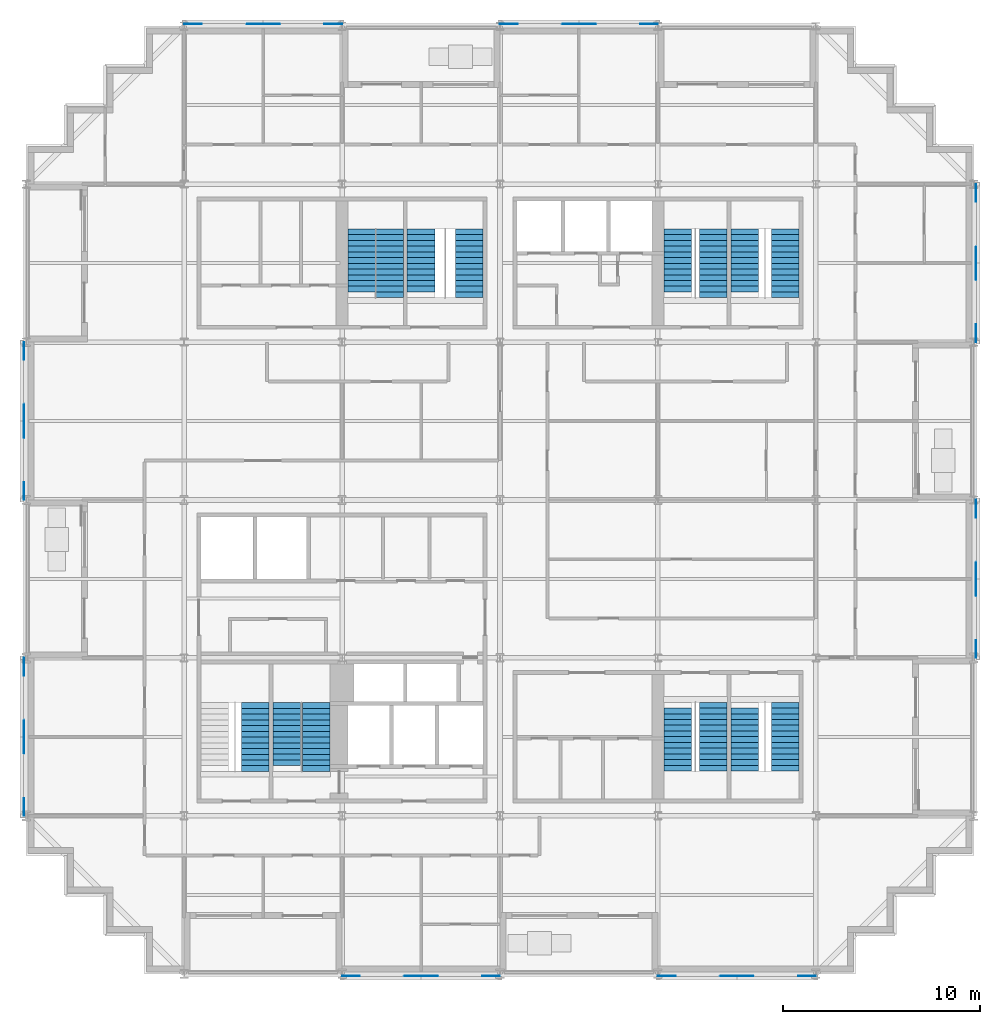
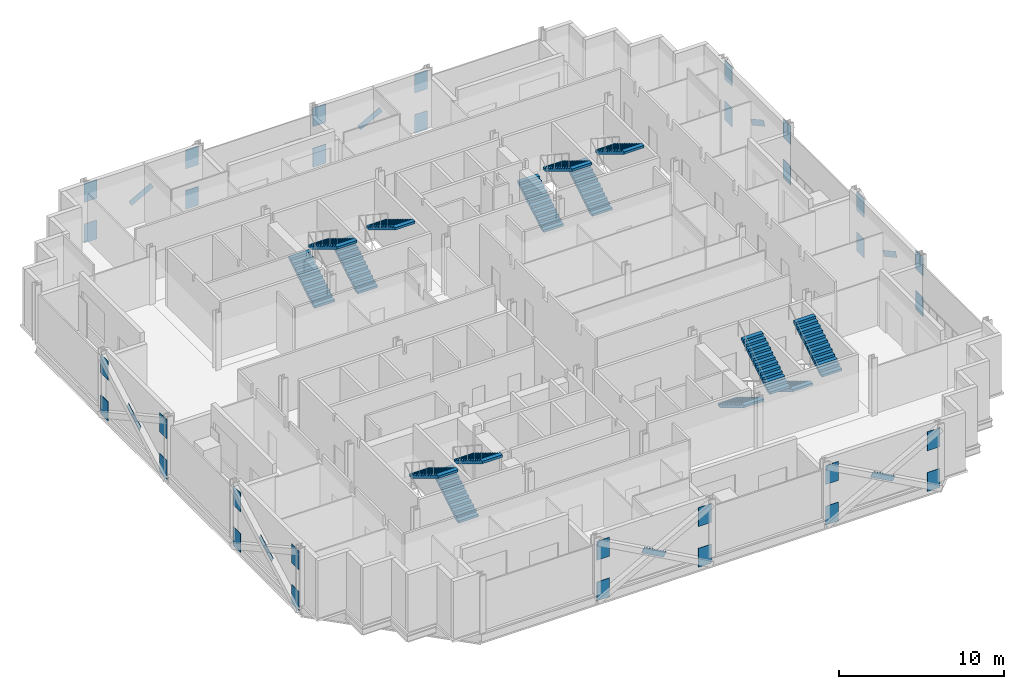
# One storey, part 12 of 15: 40 discrete accessories, 15 stair flights, 8 elements without a shape of their own.
"""IFC4 building model written with IfcOpenShell, lengths in metres."""

import ifcopenshell
import ifcopenshell.guid

model = None  # the IFC model being written
_history = None  # IfcOwnerHistory: only IFC2X3 demands one
_inside = {}  # id of a spatial element -> (the spatial element, [elements in it])
_under = {}  # id of a project, library or spatial element -> (it, [spatial elements below it])
_declared = {}  # id of a project -> (the project, [libraries it declares])
_typed = {}  # id of a type object -> (the type object, [elements of that type])
_made_of = {}  # id of a material, layer set ... -> (it, [elements and type objects made of it])


def new_model(schema):
    """Start an empty IFC model of exactly this schema.

    Asked for "IFC4X3", IfcOpenShell would pick the latest addendum, in which some entities
    have other attributes; the version numbers below select the first issue.
    IFC2X3 requires an IfcOwnerHistory on every rooted entity: one is made here for all.
    """
    global model, _history
    if schema == "IFC4X3":
        model = ifcopenshell.file(schema_version=(4, 3, 0, 0))
    else:
        model = ifcopenshell.file(schema=schema)
    _inside.clear()
    _under.clear()
    _declared.clear()
    _typed.clear()
    _made_of.clear()
    _history = None
    if model.schema == "IFC2X3":
        org = make("IfcOrganization", Name="unknown")
        user = make(
            "IfcPersonAndOrganization",
            ThePerson=make("IfcPerson", FamilyName="unknown"),
            TheOrganization=org,
        )
        app = make(
            "IfcApplication",
            ApplicationDeveloper=org,
            Version="unknown",
            ApplicationFullName="unknown",
            ApplicationIdentifier="unknown",
        )
        _history = make(
            "IfcOwnerHistory",
            OwningUser=user,
            OwningApplication=app,
            ChangeAction="ADDED",
            CreationDate=0,
        )
    return model


def make(cls, **values):
    """One entity of the class cls with the attributes given. An attribute that is None is left unset."""
    return model.create_entity(
        cls, **{name: value for name, value in values.items() if value is not None}
    )


def rooted(cls, **values):
    """An entity with a GlobalId (a new one), such as an element, a storey or a relation."""
    return make(cls, GlobalId=ifcopenshell.guid.new(), OwnerHistory=_history, **values)


def si_unit(unit_type, name, prefix=None):
    """IfcSIUnit, for example si_unit("LENGTHUNIT", "METRE", prefix="MILLI")."""
    return make("IfcSIUnit", UnitType=unit_type, Prefix=prefix, Name=name)


def assignment(units):
    """IfcUnitAssignment: the units of a project."""
    return None if units is None else make("IfcUnitAssignment", Units=units)


def point(xyz):
    """IfcCartesianPoint."""
    return None if xyz is None else make("IfcCartesianPoint", Coordinates=xyz)


def direction(xyz):
    """IfcDirection."""
    return None if xyz is None else make("IfcDirection", DirectionRatios=xyz)


def frame(location, z_axis=None, x_axis=None):
    """IfcAxis2Placement3D, a coordinate frame: its origin and axes. An axis left out is left unset."""
    return make(
        "IfcAxis2Placement3D",
        Location=point(location),
        Axis=direction(z_axis),
        RefDirection=direction(x_axis),
    )


def frame_2d(location, x_axis=None):
    """IfcAxis2Placement2D, a coordinate frame in the plane: its origin and x axis."""
    return make(
        "IfcAxis2Placement2D", Location=point(location), RefDirection=direction(x_axis)
    )


def origin():
    """The frame at (0, 0, 0) with its axes left unset."""
    return frame((0.0, 0.0, 0.0))


def origin_2d():
    """The frame at (0, 0) in the plane with its x axis left unset."""
    return frame_2d((0.0, 0.0))


def place(relative_to, where):
    """IfcLocalPlacement: puts the frame where relative to a parent placement (None: the world)."""
    return make(
        "IfcLocalPlacement", PlacementRelTo=relative_to, RelativePlacement=where
    )


def context(
    kind, dimensions, precision=None, world=None, true_north=None, identifier=None
):
    """IfcGeometricRepresentationContext, for example the 3D "Model" context."""
    return make(
        "IfcGeometricRepresentationContext",
        ContextIdentifier=identifier,
        ContextType=kind,
        CoordinateSpaceDimension=dimensions,
        Precision=precision,
        WorldCoordinateSystem=world,
        TrueNorth=true_north,
    )


def subcontext(parent, identifier, kind, view, scale=None):
    """IfcGeometricRepresentationSubContext, for example "Body" below "Model"."""
    return make(
        "IfcGeometricRepresentationSubContext",
        ContextIdentifier=identifier,
        ContextType=kind,
        ParentContext=parent,
        TargetScale=scale,
        TargetView=view,
    )


def project(units=None, contexts=None):
    """IfcProject with its units and contexts."""
    return rooted(
        "IfcProject",
        Name="project",
        RepresentationContexts=contexts,
        UnitsInContext=assignment(units),
    )


def spatial(cls, under=None, at=None, **own):
    """A site, building, storey or space (cls), placed at a placement, below another one or the project."""
    s = rooted(cls, ObjectPlacement=at, **own)
    if under is not None:
        _under.setdefault(under.id(), (under, []))[1].append(s)
    return s


def polyline(points):
    """IfcPolyline through the points."""
    return make("IfcPolyline", Points=[point(p) for p in points])


def profile(cls, at=None, kind="AREA", **sizes):
    """A parametric profile (cls). Its sizes go by their IFC names, for example OverallWidth=200.0."""
    return make(cls, ProfileType=kind, Position=at, **sizes)


def rectangle(**sizes):
    """IfcRectangleProfileDef."""
    return profile("IfcRectangleProfileDef", **sizes)


def outline(outer, holes=None, kind="AREA"):
    """IfcArbitraryClosedProfileDef: a profile drawn as a closed curve; with holes, ...WithVoids."""
    if holes is None:
        return make("IfcArbitraryClosedProfileDef", ProfileType=kind, OuterCurve=outer)
    return make(
        "IfcArbitraryProfileDefWithVoids",
        ProfileType=kind,
        OuterCurve=outer,
        InnerCurves=holes,
    )


def extrude(swept, where, along, depth):
    """IfcExtrudedAreaSolid: the profile swept, set in the frame where, extruded along a direction by depth."""
    return make(
        "IfcExtrudedAreaSolid",
        SweptArea=swept,
        Position=where,
        ExtrudedDirection=direction(along),
        Depth=depth,
    )


def shape(context_of_items, identifier, shape_type, items):
    """IfcShapeRepresentation: the items that make up one representation, for example the "Body"."""
    return make(
        "IfcShapeRepresentation",
        ContextOfItems=context_of_items,
        RepresentationIdentifier=identifier,
        RepresentationType=shape_type,
        Items=items,
    )


def material(Name=None, Category=None):
    """IfcMaterial."""
    return make("IfcMaterial", Name=Name, Category=Category)


def material_profile(
    of_material, cross_section, Name=None, Category=None, Priority=None
):
    """IfcMaterialProfile: a cross section and its material."""
    return make(
        "IfcMaterialProfile",
        Name=Name,
        Material=of_material,
        Profile=cross_section,
        Priority=Priority,
        Category=Category,
    )


def profile_set(profiles, Name=None, composite=None):
    """IfcMaterialProfileSet."""
    return make(
        "IfcMaterialProfileSet",
        Name=Name,
        MaterialProfiles=profiles,
        CompositeProfile=composite,
    )


def made_of(thing, what):
    """Note that an element or type object is made of a material, layer set ...; save() writes the relation."""
    if what is not None:
        _made_of.setdefault(what.id(), (what, []))[1].append(thing)
    return thing


def type_object(cls, material=None, **own):
    """A type object (cls), such as IfcWallType, which elements share."""
    return made_of(rooted(cls, **own), material)


def element(
    cls,
    number,
    at=None,
    inside=None,
    cuts=None,
    type_object=None,
    material=None,
    context=None,
    identifier="Body",
    shape_type=None,
    held_by="IfcProductDefinitionShape",
    body=None,
    shapes=None,
    **own,
):
    """One element of the class cls, such as IfcWall. Its Tag is "e" and its number.

    at: its placement. inside: the storey or other place that contains it. cuts: it is an
    opening in that element (IfcRelVoidsElement). A single representation is given by context,
    identifier, shape_type and body (its items); several are given by shapes. held_by: the class
    of the entity that holds the representations. save() writes the other relations.
    """
    e = rooted(cls, Tag="e%d" % number, ObjectPlacement=at, **own)
    if body is not None:
        shapes = [shape(context, identifier, shape_type, body)]
    if shapes is not None:
        e.Representation = make(held_by, Representations=shapes)
    if inside is not None:
        _inside.setdefault(inside.id(), (inside, []))[1].append(e)
    if cuts is not None:
        rooted(
            "IfcRelVoidsElement", RelatingBuildingElement=cuts, RelatedOpeningElement=e
        )
    if type_object is not None:
        _typed.setdefault(type_object.id(), (type_object, []))[1].append(e)
    return made_of(e, material)


def aggregate(whole, parts):
    """IfcRelAggregates: a whole, such as a stair, and the parts it consists of."""
    return rooted("IfcRelAggregates", RelatingObject=whole, RelatedObjects=parts)


def save(model, path):
    """Write the relations noted so far, then the file.

    IfcRelAggregates (storeys below a building ...), IfcRelContainedInSpatialStructure (elements
    in a storey), IfcRelDefinesByType, IfcRelAssociatesMaterial and IfcRelDeclares: one each for
    every whole, place, type object, material and project.
    """
    for whole, parts in _under.values():
        aggregate(whole, parts)
    for where, things in _inside.values():
        rooted(
            "IfcRelContainedInSpatialStructure",
            RelatedElements=things,
            RelatingStructure=where,
        )
    for kind, things in _typed.values():
        rooted("IfcRelDefinesByType", RelatedObjects=things, RelatingType=kind)
    for what, things in _made_of.values():
        rooted("IfcRelAssociatesMaterial", RelatedObjects=things, RelatingMaterial=what)
    for by, libraries in _declared.values():
        rooted("IfcRelDeclares", RelatingContext=by, RelatedDefinitions=libraries)
    model.write(path)


model = new_model("IFC4")

# Units and contexts
model_context = context("Model", 3, precision=1e-05, world=origin(), true_north=direction((0.0, 1.0)))
body_context = subcontext(model_context, "Body", "Model", "MODEL_VIEW")
ifc_project = project(units=[si_unit("LENGTHUNIT", "METRE"), si_unit("AREAUNIT", "SQUARE_METRE"), si_unit("VOLUMEUNIT", "CUBIC_METRE"), si_unit("PLANEANGLEUNIT", "RADIAN"), si_unit("MASSUNIT", "GRAM", prefix="KILO")], contexts=[model_context])

# Site, building, storey
site_placement = place(None, origin())
site = spatial("IfcSite", under=ifc_project, at=site_placement, CompositionType="ELEMENT")
building_placement = place(site_placement, origin())
building = spatial("IfcBuilding", under=site, at=building_placement, Name="Immortelle Media Tower", CompositionType="ELEMENT")
storey_placement = place(building_placement, frame((0.0, 0.0, 70.0)))
storey = spatial("IfcBuildingStorey", under=building, at=storey_placement, Name="L12", CompositionType="ELEMENT", Elevation=70.0)

# Stair, stair flight
ifc_material_1 = material(Name="Steel ASTM A992 Gr 50", Category="steel")
stair_type = type_object("IfcStairType", Name="Stair with flights", PredefinedType="DOUBLE_RETURN_STAIR", material=ifc_material_1)
stair_1_placement = place(storey_placement, origin())
stair_1 = element("IfcStair", 1, at=stair_1_placement, inside=storey, type_object=stair_type, Name="Exit stair SW1", PredefinedType="DOUBLE_RETURN_STAIR")
stair_flight_type = type_object("IfcStairFlightType", Name="Stair flight 1400", PredefinedType="STRAIGHT", material=ifc_material_1)
stair_flight_1_placement = place(storey_placement, frame((11.60009765625, 13.72998046875, 2.112060546875), z_axis=(0.0, 0.0, 1.0), x_axis=(0.0, -1.0, 0.0)))
stair_flight_1 = element("IfcStairFlight", 2, at=stair_flight_1_placement, type_object=stair_flight_type, Name="ST SW1 flight 2", NumberOfRisers=13, NumberOfTreads=12, PredefinedType="STRAIGHT", RiserHeight=0.176, TreadLength=0.29, context=body_context, shape_type="SweptSolid", body=[
    extrude(outline(polyline([(0.0, 0.0), (0.0, 0.176025390625), (0.2900390625, 0.176025390625), (0.2900390625, 0.35205078125), (0.580078125, 0.35205078125), (0.580078125, 0.528076171875), (0.8701171875, 0.528076171875), (0.8701171875, 0.7041015625), (1.159912109375, 0.7041015625), (1.159912109375, 0.8798828125), (1.449951171875, 0.8798828125), (1.449951171875, 1.055908203125), (1.739990234375, 1.055908203125), (1.739990234375, 1.23193359375), (2.030029296875, 1.23193359375), (2.030029296875, 1.407958984375), (2.320068359375, 1.407958984375), (2.320068359375, 1.583984375), (2.610107421875, 1.583984375), (2.610107421875, 1.760009765625), (2.89990234375, 1.760009765625), (2.89990234375, 1.93603515625), (3.18994140625, 1.93603515625), (3.18994140625, 2.112060546875), (3.47998046875, 2.112060546875), (3.47998046875, 2.2880859375), (3.47998046875, 1.936767578125), (0.288818359375, 0.0), (0.0, 0.0)])), frame((0.0, 0.699951171875, 0.0), z_axis=(0.0, -1.0, 0.0), x_axis=(1.0, 0.0, 0.0)), (0.0, 0.0, 1.0), 1.39990234375),
])
aggregate(stair_1, [stair_flight_1])

# Stair, stair flights
stair_2_placement = place(storey_placement, origin())
stair_2 = element("IfcStair", 3, at=stair_2_placement, inside=storey, type_object=stair_type, Name="Exit stair SW2", PredefinedType="DOUBLE_RETURN_STAIR")
stair_flight_2_placement = place(storey_placement, frame((13.199951171875, 10.5400390625, 0.0), z_axis=(0.0, 0.0, 1.0), x_axis=(0.0, 1.0, 0.0)))
stair_flight_2 = element("IfcStairFlight", 4, at=stair_flight_2_placement, type_object=stair_flight_type, Name="ST SW2 flight 1", NumberOfRisers=12, NumberOfTreads=11, PredefinedType="STRAIGHT", RiserHeight=0.176, TreadLength=0.29, context=body_context, shape_type="SweptSolid", body=[
    extrude(outline(polyline([(0.0, 0.0), (0.0, 0.176025390625), (0.2900390625, 0.176025390625), (0.2900390625, 0.35205078125), (0.580078125, 0.35205078125), (0.580078125, 0.528076171875), (0.8701171875, 0.528076171875), (0.8701171875, 0.7041015625), (1.159912109375, 0.7041015625), (1.159912109375, 0.8798828125), (1.449951171875, 0.8798828125), (1.449951171875, 1.055908203125), (1.739990234375, 1.055908203125), (1.739990234375, 1.23193359375), (2.030029296875, 1.23193359375), (2.030029296875, 1.407958984375), (2.320068359375, 1.407958984375), (2.320068359375, 1.583984375), (2.610107421875, 1.583984375), (2.610107421875, 1.760009765625), (2.89990234375, 1.760009765625), (2.89990234375, 1.93603515625), (3.18994140625, 1.93603515625), (3.18994140625, 2.112060546875), (3.18994140625, 1.7607421875), (0.288818359375, 0.0), (0.0, 0.0)])), frame((0.0, 0.699951171875, 0.0), z_axis=(0.0, -1.0, 0.0), x_axis=(1.0, 0.0, 0.0)), (0.0, 0.0, 1.0), 1.39990234375),
])
stair_flight_3_placement = place(storey_placement, frame((14.699951171875, 13.72998046875, 2.112060546875), z_axis=(0.0, 0.0, 1.0), x_axis=(0.0, -1.0, 0.0)))
stair_flight_3 = element("IfcStairFlight", 5, at=stair_flight_3_placement, type_object=stair_flight_type, Name="ST SW2 flight 2", NumberOfRisers=13, NumberOfTreads=12, PredefinedType="STRAIGHT", RiserHeight=0.176, TreadLength=0.29, context=body_context, shape_type="SweptSolid", body=[
    extrude(outline(polyline([(0.0, 0.0), (0.0, 0.176025390625), (0.2900390625, 0.176025390625), (0.2900390625, 0.35205078125), (0.580078125, 0.35205078125), (0.580078125, 0.528076171875), (0.8701171875, 0.528076171875), (0.8701171875, 0.7041015625), (1.159912109375, 0.7041015625), (1.159912109375, 0.8798828125), (1.449951171875, 0.8798828125), (1.449951171875, 1.055908203125), (1.739990234375, 1.055908203125), (1.739990234375, 1.23193359375), (2.030029296875, 1.23193359375), (2.030029296875, 1.407958984375), (2.320068359375, 1.407958984375), (2.320068359375, 1.583984375), (2.610107421875, 1.583984375), (2.610107421875, 1.760009765625), (2.89990234375, 1.760009765625), (2.89990234375, 1.93603515625), (3.18994140625, 1.93603515625), (3.18994140625, 2.112060546875), (3.47998046875, 2.112060546875), (3.47998046875, 2.2880859375), (3.47998046875, 1.936767578125), (0.288818359375, 0.0), (0.0, 0.0)])), frame((0.0, 0.699951171875, 0.0), z_axis=(0.0, -1.0, 0.0), x_axis=(1.0, 0.0, 0.0)), (0.0, 0.0, 1.0), 1.39990234375),
])
aggregate(stair_2, [stair_flight_2, stair_flight_3])

stair_3_placement = place(storey_placement, origin())
stair_3 = element("IfcStair", 6, at=stair_3_placement, inside=storey, type_object=stair_type, Name="Exit stair SE1", PredefinedType="DOUBLE_RETURN_STAIR")
stair_flight_4_placement = place(storey_placement, frame((33.0, 13.4599609375, 0.0), z_axis=(0.0, 0.0, 1.0), x_axis=(0.0, -1.0, 0.0)))
stair_flight_4 = element("IfcStairFlight", 7, at=stair_flight_4_placement, type_object=stair_flight_type, Name="ST SE1 flight 1", NumberOfRisers=12, NumberOfTreads=11, PredefinedType="STRAIGHT", RiserHeight=0.176, TreadLength=0.29, context=body_context, shape_type="SweptSolid", body=[
    extrude(outline(polyline([(0.0, 0.0), (0.0, 0.176025390625), (0.2900390625, 0.176025390625), (0.2900390625, 0.35205078125), (0.580078125, 0.35205078125), (0.580078125, 0.528076171875), (0.8701171875, 0.528076171875), (0.8701171875, 0.7041015625), (1.159912109375, 0.7041015625), (1.159912109375, 0.8798828125), (1.449951171875, 0.8798828125), (1.449951171875, 1.055908203125), (1.739990234375, 1.055908203125), (1.739990234375, 1.23193359375), (2.030029296875, 1.23193359375), (2.030029296875, 1.407958984375), (2.320068359375, 1.407958984375), (2.320068359375, 1.583984375), (2.610107421875, 1.583984375), (2.610107421875, 1.760009765625), (2.89990234375, 1.760009765625), (2.89990234375, 1.93603515625), (3.18994140625, 1.93603515625), (3.18994140625, 2.112060546875), (3.18994140625, 1.7607421875), (0.288818359375, 0.0), (0.0, 0.0)])), frame((0.0, 0.699951171875, 0.0), z_axis=(0.0, -1.0, 0.0), x_axis=(1.0, 0.0, 0.0)), (0.0, 0.0, 1.0), 1.39990234375),
])
stair_flight_5_placement = place(storey_placement, frame((34.800048828125, 10.27001953125, 2.112060546875), z_axis=(0.0, 0.0, 1.0), x_axis=(0.0, 1.0, 0.0)))
stair_flight_5 = element("IfcStairFlight", 8, at=stair_flight_5_placement, type_object=stair_flight_type, Name="ST SE1 flight 2", NumberOfRisers=13, NumberOfTreads=12, PredefinedType="STRAIGHT", RiserHeight=0.176, TreadLength=0.29, context=body_context, shape_type="SweptSolid", body=[
    extrude(outline(polyline([(0.0, 0.0), (0.0, 0.176025390625), (0.2900390625, 0.176025390625), (0.2900390625, 0.35205078125), (0.580078125, 0.35205078125), (0.580078125, 0.528076171875), (0.8701171875, 0.528076171875), (0.8701171875, 0.7041015625), (1.159912109375, 0.7041015625), (1.159912109375, 0.8798828125), (1.449951171875, 0.8798828125), (1.449951171875, 1.055908203125), (1.739990234375, 1.055908203125), (1.739990234375, 1.23193359375), (2.030029296875, 1.23193359375), (2.030029296875, 1.407958984375), (2.320068359375, 1.407958984375), (2.320068359375, 1.583984375), (2.610107421875, 1.583984375), (2.610107421875, 1.760009765625), (2.89990234375, 1.760009765625), (2.89990234375, 1.93603515625), (3.18994140625, 1.93603515625), (3.18994140625, 2.112060546875), (3.47998046875, 2.112060546875), (3.47998046875, 2.2880859375), (3.47998046875, 1.936767578125), (0.288818359375, 0.0), (0.0, 0.0)])), frame((0.0, 0.699951171875, 0.0), z_axis=(0.0, -1.0, 0.0), x_axis=(1.0, 0.0, 0.0)), (0.0, 0.0, 1.0), 1.39990234375),
])
aggregate(stair_3, [stair_flight_4, stair_flight_5])

stair_4_placement = place(storey_placement, origin())
stair_4 = element("IfcStair", 9, at=stair_4_placement, inside=storey, type_object=stair_type, Name="Exit stair SE2", PredefinedType="DOUBLE_RETURN_STAIR")
stair_flight_6_placement = place(storey_placement, frame((36.39990234375, 13.4599609375, 0.0), z_axis=(0.0, 0.0, 1.0), x_axis=(0.0, -1.0, 0.0)))
stair_flight_6 = element("IfcStairFlight", 10, at=stair_flight_6_placement, type_object=stair_flight_type, Name="ST SE2 flight 1", NumberOfRisers=12, NumberOfTreads=11, PredefinedType="STRAIGHT", RiserHeight=0.176, TreadLength=0.29, context=body_context, shape_type="SweptSolid", body=[
    extrude(outline(polyline([(0.0, 0.0), (0.0, 0.176025390625), (0.2900390625, 0.176025390625), (0.2900390625, 0.35205078125), (0.580078125, 0.35205078125), (0.580078125, 0.528076171875), (0.8701171875, 0.528076171875), (0.8701171875, 0.7041015625), (1.159912109375, 0.7041015625), (1.159912109375, 0.8798828125), (1.449951171875, 0.8798828125), (1.449951171875, 1.055908203125), (1.739990234375, 1.055908203125), (1.739990234375, 1.23193359375), (2.030029296875, 1.23193359375), (2.030029296875, 1.407958984375), (2.320068359375, 1.407958984375), (2.320068359375, 1.583984375), (2.610107421875, 1.583984375), (2.610107421875, 1.760009765625), (2.89990234375, 1.760009765625), (2.89990234375, 1.93603515625), (3.18994140625, 1.93603515625), (3.18994140625, 2.112060546875), (3.18994140625, 1.7607421875), (0.288818359375, 0.0), (0.0, 0.0)])), frame((0.0, 0.699951171875, 0.0), z_axis=(0.0, -1.0, 0.0), x_axis=(1.0, 0.0, 0.0)), (0.0, 0.0, 1.0), 1.39990234375),
])
stair_flight_7_placement = place(storey_placement, frame((38.449951171875, 10.27001953125, 2.112060546875), z_axis=(0.0, 0.0, 1.0), x_axis=(0.0, 1.0, 0.0)))
stair_flight_7 = element("IfcStairFlight", 11, at=stair_flight_7_placement, type_object=stair_flight_type, Name="ST SE2 flight 2", NumberOfRisers=13, NumberOfTreads=12, PredefinedType="STRAIGHT", RiserHeight=0.176, TreadLength=0.29, context=body_context, shape_type="SweptSolid", body=[
    extrude(outline(polyline([(0.0, 0.0), (0.0, 0.176025390625), (0.2900390625, 0.176025390625), (0.2900390625, 0.35205078125), (0.580078125, 0.35205078125), (0.580078125, 0.528076171875), (0.8701171875, 0.528076171875), (0.8701171875, 0.7041015625), (1.159912109375, 0.7041015625), (1.159912109375, 0.8798828125), (1.449951171875, 0.8798828125), (1.449951171875, 1.055908203125), (1.739990234375, 1.055908203125), (1.739990234375, 1.23193359375), (2.030029296875, 1.23193359375), (2.030029296875, 1.407958984375), (2.320068359375, 1.407958984375), (2.320068359375, 1.583984375), (2.610107421875, 1.583984375), (2.610107421875, 1.760009765625), (2.89990234375, 1.760009765625), (2.89990234375, 1.93603515625), (3.18994140625, 1.93603515625), (3.18994140625, 2.112060546875), (3.47998046875, 2.112060546875), (3.47998046875, 2.2880859375), (3.47998046875, 1.936767578125), (0.288818359375, 0.0), (0.0, 0.0)])), frame((0.0, 0.699951171875, 0.0), z_axis=(0.0, -1.0, 0.0), x_axis=(1.0, 0.0, 0.0)), (0.0, 0.0, 1.0), 1.39990234375),
])
aggregate(stair_4, [stair_flight_6, stair_flight_7])

stair_5_placement = place(storey_placement, origin())
stair_5 = element("IfcStair", 12, at=stair_5_placement, inside=storey, type_object=stair_type, Name="Exit stair NW1", PredefinedType="DOUBLE_RETURN_STAIR")
stair_flight_8_placement = place(storey_placement, frame((17.0, 34.5400390625, 0.0), z_axis=(0.0, 0.0, 1.0), x_axis=(0.0, 1.0, 0.0)))
stair_flight_8 = element("IfcStairFlight", 13, at=stair_flight_8_placement, type_object=stair_flight_type, Name="ST NW1 flight 1", NumberOfRisers=12, NumberOfTreads=11, PredefinedType="STRAIGHT", RiserHeight=0.176, TreadLength=0.29, context=body_context, shape_type="SweptSolid", body=[
    extrude(outline(polyline([(0.0, 0.0), (0.0, 0.176025390625), (0.2900390625, 0.176025390625), (0.2900390625, 0.35205078125), (0.580078125, 0.35205078125), (0.580078125, 0.528076171875), (0.8701171875, 0.528076171875), (0.8701171875, 0.7041015625), (1.159912109375, 0.7041015625), (1.159912109375, 0.8798828125), (1.449951171875, 0.8798828125), (1.449951171875, 1.055908203125), (1.739990234375, 1.055908203125), (1.739990234375, 1.23193359375), (2.030029296875, 1.23193359375), (2.030029296875, 1.407958984375), (2.320068359375, 1.407958984375), (2.320068359375, 1.583984375), (2.610107421875, 1.583984375), (2.610107421875, 1.760009765625), (2.89990234375, 1.760009765625), (2.89990234375, 1.93603515625), (3.18994140625, 1.93603515625), (3.18994140625, 2.112060546875), (3.18994140625, 1.7607421875), (0.288818359375, 0.0), (0.0, 0.0)])), frame((0.0, 0.699951171875, 0.0), z_axis=(0.0, -1.0, 0.0), x_axis=(1.0, 0.0, 0.0)), (0.0, 0.0, 1.0), 1.39990234375),
])
stair_flight_9_placement = place(storey_placement, frame((18.39990234375, 37.72998046875, 2.112060546875), z_axis=(0.0, 0.0, 1.0), x_axis=(0.0, -1.0, 0.0)))
stair_flight_9 = element("IfcStairFlight", 14, at=stair_flight_9_placement, type_object=stair_flight_type, Name="ST NW1 flight 2", NumberOfRisers=13, NumberOfTreads=12, PredefinedType="STRAIGHT", RiserHeight=0.176, TreadLength=0.29, context=body_context, shape_type="SweptSolid", body=[
    extrude(outline(polyline([(0.0, 0.0), (0.0, 0.176025390625), (0.2900390625, 0.176025390625), (0.2900390625, 0.35205078125), (0.580078125, 0.35205078125), (0.580078125, 0.528076171875), (0.8701171875, 0.528076171875), (0.8701171875, 0.7041015625), (1.159912109375, 0.7041015625), (1.159912109375, 0.8798828125), (1.449951171875, 0.8798828125), (1.449951171875, 1.055908203125), (1.739990234375, 1.055908203125), (1.739990234375, 1.23193359375), (2.030029296875, 1.23193359375), (2.030029296875, 1.407958984375), (2.320068359375, 1.407958984375), (2.320068359375, 1.583984375), (2.610107421875, 1.583984375), (2.610107421875, 1.760009765625), (2.89990234375, 1.760009765625), (2.89990234375, 1.93603515625), (3.18994140625, 1.93603515625), (3.18994140625, 2.112060546875), (3.47998046875, 2.112060546875), (3.47998046875, 2.2880859375), (3.47998046875, 1.936767578125), (0.288818359375, 0.0), (0.0, 0.0)])), frame((0.0, 0.699951171875, 0.0), z_axis=(0.0, -1.0, 0.0), x_axis=(1.0, 0.0, 0.0)), (0.0, 0.0, 1.0), 1.39990234375),
])
aggregate(stair_5, [stair_flight_8, stair_flight_9])

stair_6_placement = place(storey_placement, origin())
stair_6 = element("IfcStair", 15, at=stair_6_placement, inside=storey, type_object=stair_type, Name="Exit stair NW2", PredefinedType="DOUBLE_RETURN_STAIR")
stair_flight_10_placement = place(storey_placement, frame((20.0, 34.5400390625, 0.0), z_axis=(0.0, 0.0, 1.0), x_axis=(0.0, 1.0, 0.0)))
stair_flight_10 = element("IfcStairFlight", 16, at=stair_flight_10_placement, type_object=stair_flight_type, Name="ST NW2 flight 1", NumberOfRisers=12, NumberOfTreads=11, PredefinedType="STRAIGHT", RiserHeight=0.176, TreadLength=0.29, context=body_context, shape_type="SweptSolid", body=[
    extrude(outline(polyline([(0.0, 0.0), (0.0, 0.176025390625), (0.2900390625, 0.176025390625), (0.2900390625, 0.35205078125), (0.580078125, 0.35205078125), (0.580078125, 0.528076171875), (0.8701171875, 0.528076171875), (0.8701171875, 0.7041015625), (1.159912109375, 0.7041015625), (1.159912109375, 0.8798828125), (1.449951171875, 0.8798828125), (1.449951171875, 1.055908203125), (1.739990234375, 1.055908203125), (1.739990234375, 1.23193359375), (2.030029296875, 1.23193359375), (2.030029296875, 1.407958984375), (2.320068359375, 1.407958984375), (2.320068359375, 1.583984375), (2.610107421875, 1.583984375), (2.610107421875, 1.760009765625), (2.89990234375, 1.760009765625), (2.89990234375, 1.93603515625), (3.18994140625, 1.93603515625), (3.18994140625, 2.112060546875), (3.18994140625, 1.7607421875), (0.288818359375, 0.0), (0.0, 0.0)])), frame((0.0, 0.699951171875, 0.0), z_axis=(0.0, -1.0, 0.0), x_axis=(1.0, 0.0, 0.0)), (0.0, 0.0, 1.0), 1.39990234375),
])
stair_flight_11_placement = place(storey_placement, frame((22.449951171875, 37.72998046875, 2.112060546875), z_axis=(0.0, 0.0, 1.0), x_axis=(0.0, -1.0, 0.0)))
stair_flight_11 = element("IfcStairFlight", 17, at=stair_flight_11_placement, type_object=stair_flight_type, Name="ST NW2 flight 2", NumberOfRisers=13, NumberOfTreads=12, PredefinedType="STRAIGHT", RiserHeight=0.176, TreadLength=0.29, context=body_context, shape_type="SweptSolid", body=[
    extrude(outline(polyline([(0.0, 0.0), (0.0, 0.176025390625), (0.2900390625, 0.176025390625), (0.2900390625, 0.35205078125), (0.580078125, 0.35205078125), (0.580078125, 0.528076171875), (0.8701171875, 0.528076171875), (0.8701171875, 0.7041015625), (1.159912109375, 0.7041015625), (1.159912109375, 0.8798828125), (1.449951171875, 0.8798828125), (1.449951171875, 1.055908203125), (1.739990234375, 1.055908203125), (1.739990234375, 1.23193359375), (2.030029296875, 1.23193359375), (2.030029296875, 1.407958984375), (2.320068359375, 1.407958984375), (2.320068359375, 1.583984375), (2.610107421875, 1.583984375), (2.610107421875, 1.760009765625), (2.89990234375, 1.760009765625), (2.89990234375, 1.93603515625), (3.18994140625, 1.93603515625), (3.18994140625, 2.112060546875), (3.47998046875, 2.112060546875), (3.47998046875, 2.2880859375), (3.47998046875, 1.936767578125), (0.288818359375, 0.0), (0.0, 0.0)])), frame((0.0, 0.699951171875, 0.0), z_axis=(0.0, -1.0, 0.0), x_axis=(1.0, 0.0, 0.0)), (0.0, 0.0, 1.0), 1.39990234375),
])
aggregate(stair_6, [stair_flight_10, stair_flight_11])

stair_7_placement = place(storey_placement, origin())
stair_7 = element("IfcStair", 18, at=stair_7_placement, inside=storey, type_object=stair_type, Name="Exit stair NE1", PredefinedType="DOUBLE_RETURN_STAIR")
stair_flight_12_placement = place(storey_placement, frame((33.0, 34.5400390625, 0.0), z_axis=(0.0, 0.0, 1.0), x_axis=(0.0, 1.0, 0.0)))
stair_flight_12 = element("IfcStairFlight", 19, at=stair_flight_12_placement, type_object=stair_flight_type, Name="ST NE1 flight 1", NumberOfRisers=12, NumberOfTreads=11, PredefinedType="STRAIGHT", RiserHeight=0.176, TreadLength=0.29, context=body_context, shape_type="SweptSolid", body=[
    extrude(outline(polyline([(0.0, 0.0), (0.0, 0.176025390625), (0.2900390625, 0.176025390625), (0.2900390625, 0.35205078125), (0.580078125, 0.35205078125), (0.580078125, 0.528076171875), (0.8701171875, 0.528076171875), (0.8701171875, 0.7041015625), (1.159912109375, 0.7041015625), (1.159912109375, 0.8798828125), (1.449951171875, 0.8798828125), (1.449951171875, 1.055908203125), (1.739990234375, 1.055908203125), (1.739990234375, 1.23193359375), (2.030029296875, 1.23193359375), (2.030029296875, 1.407958984375), (2.320068359375, 1.407958984375), (2.320068359375, 1.583984375), (2.610107421875, 1.583984375), (2.610107421875, 1.760009765625), (2.89990234375, 1.760009765625), (2.89990234375, 1.93603515625), (3.18994140625, 1.93603515625), (3.18994140625, 2.112060546875), (3.18994140625, 1.7607421875), (0.288818359375, 0.0), (0.0, 0.0)])), frame((0.0, 0.699951171875, 0.0), z_axis=(0.0, -1.0, 0.0), x_axis=(1.0, 0.0, 0.0)), (0.0, 0.0, 1.0), 1.39990234375),
])
stair_flight_13_placement = place(storey_placement, frame((34.800048828125, 37.72998046875, 2.112060546875), z_axis=(0.0, 0.0, 1.0), x_axis=(0.0, -1.0, 0.0)))
stair_flight_13 = element("IfcStairFlight", 20, at=stair_flight_13_placement, type_object=stair_flight_type, Name="ST NE1 flight 2", NumberOfRisers=13, NumberOfTreads=12, PredefinedType="STRAIGHT", RiserHeight=0.176, TreadLength=0.29, context=body_context, shape_type="SweptSolid", body=[
    extrude(outline(polyline([(0.0, 0.0), (0.0, 0.176025390625), (0.2900390625, 0.176025390625), (0.2900390625, 0.35205078125), (0.580078125, 0.35205078125), (0.580078125, 0.528076171875), (0.8701171875, 0.528076171875), (0.8701171875, 0.7041015625), (1.159912109375, 0.7041015625), (1.159912109375, 0.8798828125), (1.449951171875, 0.8798828125), (1.449951171875, 1.055908203125), (1.739990234375, 1.055908203125), (1.739990234375, 1.23193359375), (2.030029296875, 1.23193359375), (2.030029296875, 1.407958984375), (2.320068359375, 1.407958984375), (2.320068359375, 1.583984375), (2.610107421875, 1.583984375), (2.610107421875, 1.760009765625), (2.89990234375, 1.760009765625), (2.89990234375, 1.93603515625), (3.18994140625, 1.93603515625), (3.18994140625, 2.112060546875), (3.47998046875, 2.112060546875), (3.47998046875, 2.2880859375), (3.47998046875, 1.936767578125), (0.288818359375, 0.0), (0.0, 0.0)])), frame((0.0, 0.699951171875, 0.0), z_axis=(0.0, -1.0, 0.0), x_axis=(1.0, 0.0, 0.0)), (0.0, 0.0, 1.0), 1.39990234375),
])
aggregate(stair_7, [stair_flight_12, stair_flight_13])

stair_8_placement = place(storey_placement, origin())
stair_8 = element("IfcStair", 21, at=stair_8_placement, inside=storey, type_object=stair_type, Name="Exit stair NE2", PredefinedType="DOUBLE_RETURN_STAIR")
stair_flight_14_placement = place(storey_placement, frame((36.39990234375, 34.5400390625, 0.0), z_axis=(0.0, 0.0, 1.0), x_axis=(0.0, 1.0, 0.0)))
stair_flight_14 = element("IfcStairFlight", 22, at=stair_flight_14_placement, type_object=stair_flight_type, Name="ST NE2 flight 1", NumberOfRisers=12, NumberOfTreads=11, PredefinedType="STRAIGHT", RiserHeight=0.176, TreadLength=0.29, context=body_context, shape_type="SweptSolid", body=[
    extrude(outline(polyline([(0.0, 0.0), (0.0, 0.176025390625), (0.2900390625, 0.176025390625), (0.2900390625, 0.35205078125), (0.580078125, 0.35205078125), (0.580078125, 0.528076171875), (0.8701171875, 0.528076171875), (0.8701171875, 0.7041015625), (1.159912109375, 0.7041015625), (1.159912109375, 0.8798828125), (1.449951171875, 0.8798828125), (1.449951171875, 1.055908203125), (1.739990234375, 1.055908203125), (1.739990234375, 1.23193359375), (2.030029296875, 1.23193359375), (2.030029296875, 1.407958984375), (2.320068359375, 1.407958984375), (2.320068359375, 1.583984375), (2.610107421875, 1.583984375), (2.610107421875, 1.760009765625), (2.89990234375, 1.760009765625), (2.89990234375, 1.93603515625), (3.18994140625, 1.93603515625), (3.18994140625, 2.112060546875), (3.18994140625, 1.7607421875), (0.288818359375, 0.0), (0.0, 0.0)])), frame((0.0, 0.699951171875, 0.0), z_axis=(0.0, -1.0, 0.0), x_axis=(1.0, 0.0, 0.0)), (0.0, 0.0, 1.0), 1.39990234375),
])
stair_flight_15_placement = place(storey_placement, frame((38.449951171875, 37.72998046875, 2.112060546875), z_axis=(0.0, 0.0, 1.0), x_axis=(0.0, -1.0, 0.0)))
stair_flight_15 = element("IfcStairFlight", 23, at=stair_flight_15_placement, type_object=stair_flight_type, Name="ST NE2 flight 2", NumberOfRisers=13, NumberOfTreads=12, PredefinedType="STRAIGHT", RiserHeight=0.176, TreadLength=0.29, context=body_context, shape_type="SweptSolid", body=[
    extrude(outline(polyline([(0.0, 0.0), (0.0, 0.176025390625), (0.2900390625, 0.176025390625), (0.2900390625, 0.35205078125), (0.580078125, 0.35205078125), (0.580078125, 0.528076171875), (0.8701171875, 0.528076171875), (0.8701171875, 0.7041015625), (1.159912109375, 0.7041015625), (1.159912109375, 0.8798828125), (1.449951171875, 0.8798828125), (1.449951171875, 1.055908203125), (1.739990234375, 1.055908203125), (1.739990234375, 1.23193359375), (2.030029296875, 1.23193359375), (2.030029296875, 1.407958984375), (2.320068359375, 1.407958984375), (2.320068359375, 1.583984375), (2.610107421875, 1.583984375), (2.610107421875, 1.760009765625), (2.89990234375, 1.760009765625), (2.89990234375, 1.93603515625), (3.18994140625, 1.93603515625), (3.18994140625, 2.112060546875), (3.47998046875, 2.112060546875), (3.47998046875, 2.2880859375), (3.47998046875, 1.936767578125), (0.288818359375, 0.0), (0.0, 0.0)])), frame((0.0, 0.699951171875, 0.0), z_axis=(0.0, -1.0, 0.0), x_axis=(1.0, 0.0, 0.0)), (0.0, 0.0, 1.0), 1.39990234375),
])
aggregate(stair_8, [stair_flight_14, stair_flight_15])

# Discrete accessories
ifc_material_2 = material(Name="Steel ASTM A572 Gr 50", Category="steel")
ifc_material_profile_1 = material_profile(ifc_material_2, rectangle(XDim=0.031982421875, YDim=0.406005859375, at=origin_2d()), Name="PL 32 x 406")
ifc_profile_set_1 = profile_set([ifc_material_profile_1], Name="Steel ASTM A572 Gr 50")
discrete_accessory_type_1 = type_object("IfcDiscreteAccessoryType", Name="Crossing plate XP-BR3 1750 x 406 x 32", PredefinedType="USERDEFINED", material=ifc_profile_set_1)
for number, where, z_axis, x_axis, name in (
    (24, (-0.113037109375, 28.7666015625, 2.125244140625), (0.0, -0.876156989658, -0.482025859756), (1.0, 0.0, 0.0), "Crossing plate XP-BR3 of Brace 1/D-E A and Brace 1/D-E B"),
    (25, (-0.113037109375, 12.7666015625, 2.125244140625), (0.0, -0.876156989658, -0.482025859756), (1.0, 0.0, 0.0), "Crossing plate XP-BR3 of Brace 1/B-C A and Brace 1/B-C B"),
    (26, (48.113037109375, 19.2333984375, 2.125244140625), (0.0, 0.876156989658, -0.482025859756), (-1.0, 0.0, 0.0), "Crossing plate XP-BR3 of Brace 7/C-D A and Brace 7/C-D B"),
    (27, (48.113037109375, 35.2333984375, 2.125244140625), (0.0, 0.876156989658, -0.482025859756), (-1.0, 0.0, 0.0), "Crossing plate XP-BR3 of Brace 7/E-F A and Brace 7/E-F B"),
    (28, (28.7666015625, 48.113037109375, 2.125244140625), (-0.876156989658, 0.0, -0.482025859756), (0.0, -1.0, 0.0), "Crossing plate XP-BR3 of Brace G/4-5 A and Brace G/4-5 B"),
    (29, (12.7666015625, 48.113037109375, 2.125244140625), (-0.876156989658, 0.0, -0.482025859756), (0.0, -1.0, 0.0), "Crossing plate XP-BR3 of Brace G/2-3 A and Brace G/2-3 B"),
    (30, (19.2333984375, -0.113037109375, 2.125244140625), (0.876156989658, 0.0, -0.482025859756), (0.0, 1.0, 0.0), "Crossing plate XP-BR3 of Brace A/3-4 A and Brace A/3-4 B"),
    (31, (35.2333984375, -0.113037109375, 2.125244140625), (0.876156989658, 0.0, -0.482025859756), (0.0, 1.0, 0.0), "Crossing plate XP-BR3 of Brace A/5-6 A and Brace A/5-6 B"),
):
    element("IfcDiscreteAccessory", number, at=place(storey_placement, frame(where, z_axis=z_axis, x_axis=x_axis)), inside=storey, type_object=discrete_accessory_type_1, Name=name, ObjectType="CROSSING PLATE", PredefinedType="USERDEFINED", context=body_context, shape_type="SweptSolid", body=[
        extrude(rectangle(XDim=0.031982421875, YDim=0.406005859375, at=origin_2d()), origin(), (0.0, 0.0, 1.0), 1.75),
    ])
ifc_material_profile_2 = material_profile(ifc_material_2, rectangle(XDim=0.031982421875, YDim=1.39990234375, at=origin_2d()), Name="PL 32 x 1400")
ifc_profile_set_2 = profile_set([ifc_material_profile_2], Name="Steel ASTM A572 Gr 50")
discrete_accessory_type_2 = type_object("IfcDiscreteAccessoryType", Name="Gusset plate GP1 900 x 1400 x 32", PredefinedType="USERDEFINED", material=ifc_profile_set_2)
for number, where, z_axis, x_axis, name in (
    (32, (-0.113037109375, 32.0, 0.20361328125), (0.0, -1.0, 0.0), (1.0, 0.0, 0.0), "Gusset plate GP1, lower end of Brace 1/D-E A"),
    (33, (-0.113037109375, 24.0, 3.20361328125), (0.0, 1.0, 0.0), (-1.0, 0.0, 0.0), "Gusset plate GP1, upper end of Brace 1/D-E A"),
    (34, (-0.113037109375, 24.0, 0.20361328125), (0.0, 1.0, 0.0), (-1.0, 0.0, 0.0), "Gusset plate GP1, lower end of Brace 1/D-E B"),
    (35, (-0.113037109375, 32.0, 3.20361328125), (0.0, -1.0, 0.0), (1.0, 0.0, 0.0), "Gusset plate GP1, upper end of Brace 1/D-E B"),
    (36, (-0.113037109375, 16.0, 0.20361328125), (0.0, -1.0, 0.0), (1.0, 0.0, 0.0), "Gusset plate GP1, lower end of Brace 1/B-C A"),
    (37, (-0.113037109375, 8.0, 3.20361328125), (0.0, 1.0, 0.0), (-1.0, 0.0, 0.0), "Gusset plate GP1, upper end of Brace 1/B-C A"),
    (38, (-0.113037109375, 8.0, 0.20361328125), (0.0, 1.0, 0.0), (-1.0, 0.0, 0.0), "Gusset plate GP1, lower end of Brace 1/B-C B"),
    (39, (-0.113037109375, 16.0, 3.20361328125), (0.0, -1.0, 0.0), (1.0, 0.0, 0.0), "Gusset plate GP1, upper end of Brace 1/B-C B"),
    (40, (16.0, -0.113037109375, 0.20361328125), (1.0, 0.0, 0.0), (0.0, 1.0, 0.0), "Gusset plate GP1, lower end of Brace A/3-4 A"),
    (41, (24.0, -0.113037109375, 3.20361328125), (-1.0, 0.0, 0.0), (0.0, -1.0, 0.0), "Gusset plate GP1, upper end of Brace A/3-4 A"),
    (42, (24.0, -0.113037109375, 0.20361328125), (-1.0, 0.0, 0.0), (0.0, -1.0, 0.0), "Gusset plate GP1, lower end of Brace A/3-4 B"),
    (43, (16.0, -0.113037109375, 3.20361328125), (1.0, 0.0, 0.0), (0.0, 1.0, 0.0), "Gusset plate GP1, upper end of Brace A/3-4 B"),
    (44, (32.0, -0.113037109375, 0.20361328125), (1.0, 0.0, 0.0), (0.0, 1.0, 0.0), "Gusset plate GP1, lower end of Brace A/5-6 A"),
    (45, (40.0, -0.113037109375, 3.20361328125), (-1.0, 0.0, 0.0), (0.0, -1.0, 0.0), "Gusset plate GP1, upper end of Brace A/5-6 A"),
    (46, (40.0, -0.113037109375, 0.20361328125), (-1.0, 0.0, 0.0), (0.0, -1.0, 0.0), "Gusset plate GP1, lower end of Brace A/5-6 B"),
    (47, (32.0, -0.113037109375, 3.20361328125), (1.0, 0.0, 0.0), (0.0, 1.0, 0.0), "Gusset plate GP1, upper end of Brace A/5-6 B"),
    (48, (48.113037109375, 16.0, 0.20361328125), (0.0, 1.0, 0.0), (-1.0, 0.0, 0.0), "Gusset plate GP1, lower end of Brace 7/C-D A"),
    (49, (48.113037109375, 24.0, 3.20361328125), (0.0, -1.0, 0.0), (1.0, 0.0, 0.0), "Gusset plate GP1, upper end of Brace 7/C-D A"),
    (50, (48.113037109375, 24.0, 0.20361328125), (0.0, -1.0, 0.0), (1.0, 0.0, 0.0), "Gusset plate GP1, lower end of Brace 7/C-D B"),
    (51, (48.113037109375, 16.0, 3.20361328125), (0.0, 1.0, 0.0), (-1.0, 0.0, 0.0), "Gusset plate GP1, upper end of Brace 7/C-D B"),
    (52, (48.113037109375, 32.0, 0.20361328125), (0.0, 1.0, 0.0), (-1.0, 0.0, 0.0), "Gusset plate GP1, lower end of Brace 7/E-F A"),
    (53, (48.113037109375, 40.0, 3.20361328125), (0.0, -1.0, 0.0), (1.0, 0.0, 0.0), "Gusset plate GP1, upper end of Brace 7/E-F A"),
    (54, (48.113037109375, 40.0, 0.20361328125), (0.0, -1.0, 0.0), (1.0, 0.0, 0.0), "Gusset plate GP1, lower end of Brace 7/E-F B"),
    (55, (48.113037109375, 32.0, 3.20361328125), (0.0, 1.0, 0.0), (-1.0, 0.0, 0.0), "Gusset plate GP1, upper end of Brace 7/E-F B"),
    (56, (32.0, 48.113037109375, 0.20361328125), (-1.0, 0.0, 0.0), (0.0, -1.0, 0.0), "Gusset plate GP1, lower end of Brace G/4-5 A"),
    (57, (24.0, 48.113037109375, 3.20361328125), (1.0, 0.0, 0.0), (0.0, 1.0, 0.0), "Gusset plate GP1, upper end of Brace G/4-5 A"),
    (58, (24.0, 48.113037109375, 0.20361328125), (1.0, 0.0, 0.0), (0.0, 1.0, 0.0), "Gusset plate GP1, lower end of Brace G/4-5 B"),
    (59, (32.0, 48.113037109375, 3.20361328125), (-1.0, 0.0, 0.0), (0.0, -1.0, 0.0), "Gusset plate GP1, upper end of Brace G/4-5 B"),
    (60, (16.0, 48.113037109375, 0.20361328125), (-1.0, 0.0, 0.0), (0.0, -1.0, 0.0), "Gusset plate GP1, lower end of Brace G/2-3 A"),
    (61, (8.0, 48.113037109375, 3.20361328125), (1.0, 0.0, 0.0), (0.0, 1.0, 0.0), "Gusset plate GP1, upper end of Brace G/2-3 A"),
    (62, (8.0, 48.113037109375, 0.20361328125), (1.0, 0.0, 0.0), (0.0, 1.0, 0.0), "Gusset plate GP1, lower end of Brace G/2-3 B"),
    (63, (16.0, 48.113037109375, 3.20361328125), (-1.0, 0.0, 0.0), (0.0, -1.0, 0.0), "Gusset plate GP1, upper end of Brace G/2-3 B"),
):
    element("IfcDiscreteAccessory", number, at=place(storey_placement, frame(where, z_axis=z_axis, x_axis=x_axis)), inside=storey, type_object=discrete_accessory_type_2, Name=name, ObjectType="GUSSET PLATE", PredefinedType="USERDEFINED", context=body_context, shape_type="SweptSolid", body=[
        extrude(rectangle(XDim=0.031982421875, YDim=1.39990234375, at=origin_2d()), origin(), (0.0, 0.0, 1.0), 0.89990234375),
    ])

save(model, "model.ifc")
